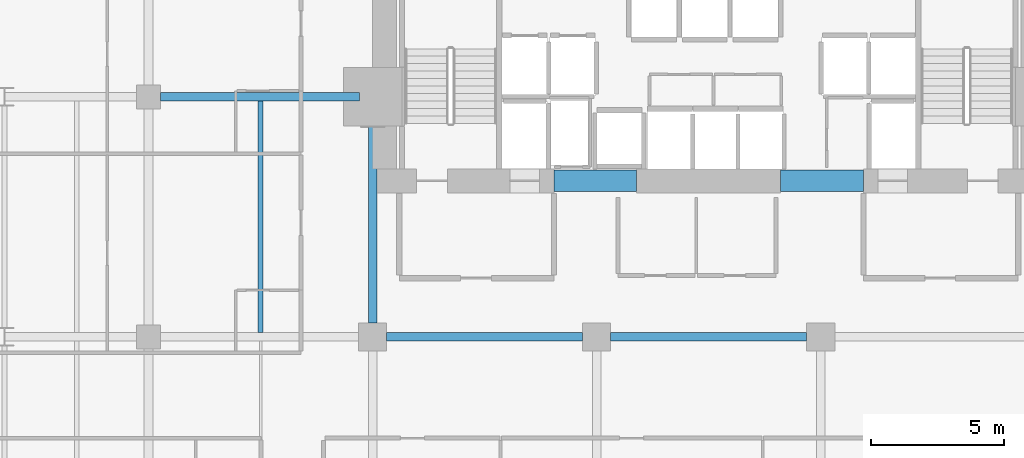
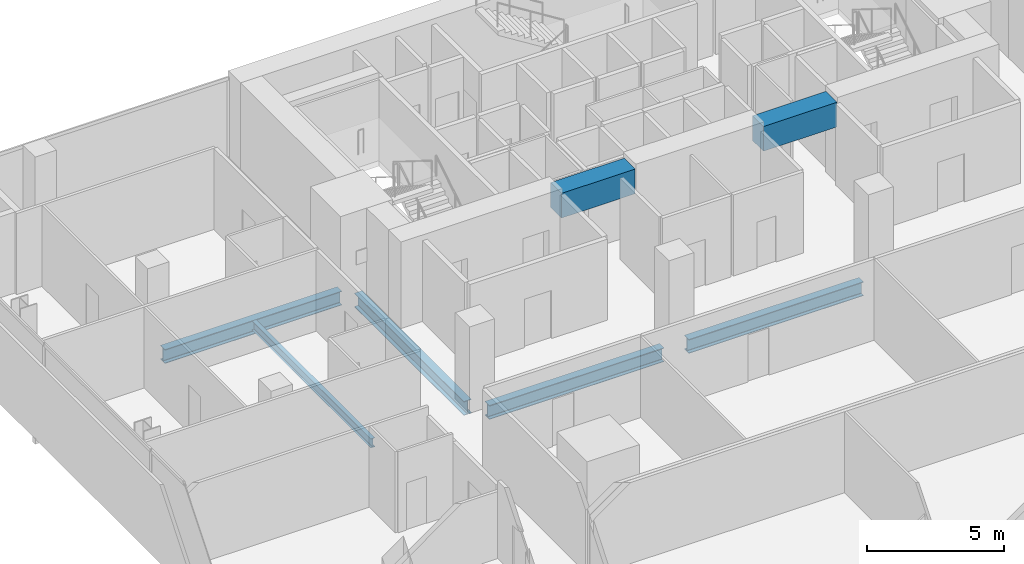
# One storey, part 24 of 40: 7 beams.
"""IFC4 building model written with IfcOpenShell, lengths in metres."""

from ifc_helpers import new_model, si_unit, direction, frame, origin, origin_2d, place, context, subcontext, project, spatial, rectangle, i_section, extrude, material, material_profile, profile_set, type_object, element, save


model = new_model("IFC4")

# Units and contexts
model_context = context("Model", 3, precision=1e-05, world=origin(), true_north=direction((0.0, 1.0)))
body_context = subcontext(model_context, "Body", "Model", "MODEL_VIEW")
ifc_project = project(units=[si_unit("LENGTHUNIT", "METRE"), si_unit("AREAUNIT", "SQUARE_METRE"), si_unit("VOLUMEUNIT", "CUBIC_METRE"), si_unit("PLANEANGLEUNIT", "RADIAN"), si_unit("MASSUNIT", "GRAM", prefix="KILO")], contexts=[model_context])

# Site, building, storey
site_placement = place(None, origin())
site = spatial("IfcSite", under=ifc_project, at=site_placement, CompositionType="ELEMENT")
building_placement = place(site_placement, origin())
building = spatial("IfcBuilding", under=site, at=building_placement, Name="Maruvema Waterfront Hotel and Observation Tower", CompositionType="ELEMENT")
storey_placement = place(building_placement, frame((0.0, 0.0, 50.050048828125)))
storey = spatial("IfcBuildingStorey", under=building, at=storey_placement, Name="L11", CompositionType="ELEMENT", Elevation=50.050048828125)

# Beams
ifc_material_1 = material(Name="Concrete C60/75", Category="concrete")
ifc_material_profile_1 = material_profile(ifc_material_1, rectangle(XDim=0.800048828125, YDim=1.10009765625, at=origin_2d()), Name="CB800x1100")
ifc_profile_set_1 = profile_set([ifc_material_profile_1], Name="Concrete C60/75")
beam_type_1 = type_object("IfcBeamType", Name="Core Coupling Lintel Beam CB800x1100", PredefinedType="LINTEL", material=ifc_profile_set_1)
for number, where, z_axis, x_axis, name in (
    (1, (32.0, 41.85009765625, 3.06005859375), (1.0, 0.0, 0.0), (0.0, 1.0, 0.0), "L11 Core Coupling Lintel Beam West"),
    (2, (40.5, 41.85009765625, 3.06005859375), (1.0, 0.0, 0.0), (0.0, 1.0, 0.0), "L11 Core Coupling Lintel Beam East"),
):
    element("IfcBeam", number, at=place(storey_placement, frame(where, z_axis=z_axis, x_axis=x_axis)), inside=storey, type_object=beam_type_1, Name=name, PredefinedType="LINTEL", context=body_context, shape_type="SweptSolid", body=[
        extrude(rectangle(XDim=0.800048828125, YDim=1.10009765625, at=origin_2d()), origin(), (0.0, 0.0, 1.0), 3.10009765625),
    ])
ifc_material_2 = material(Name="Steel ASTM A572 Grade 50", Category="steel")
ifc_material_profile_2 = material_profile(ifc_material_2, i_section(OverallWidth=0.326904296875, OverallDepth=0.6220703125, WebThickness=0.015380859375, FlangeThickness=0.0244140625, FilletRadius=0.01806640625, at=origin_2d()), Name="W610x195.0")
ifc_profile_set_2 = profile_set([ifc_material_profile_2], Name="Steel ASTM A572 Grade 50")
beam_type_2 = type_object("IfcBeamType", Name="Primary Floor Girder W610x195.0", PredefinedType="BEAM", material=ifc_profile_set_2)
beam_1_placement = place(storey_placement, frame((25.72509765625, 36.0, -0.551025390625), z_axis=(1.0, 0.0, 0.0), x_axis=(0.0, 1.0, 0.0)))
element("IfcBeam", 3, at=beam_1_placement, inside=storey, type_object=beam_type_2, Name="L11 Floor Girder EW-27", PredefinedType="BEAM", context=body_context, shape_type="SweptSolid", body=[
    extrude(i_section(OverallWidth=0.326904296875, OverallDepth=0.6220703125, WebThickness=0.015380859375, FlangeThickness=0.0244140625, FilletRadius=0.01806640625, at=origin_2d()), origin(), (0.0, 0.0, 1.0), 7.349853515625),
])
beam_2_placement = place(storey_placement, frame((34.125, 36.0, -0.551025390625), z_axis=(1.0, 0.0, 0.0), x_axis=(0.0, 1.0, 0.0)))
element("IfcBeam", 4, at=beam_2_placement, inside=storey, type_object=beam_type_2, Name="L11 Floor Girder EW-28", PredefinedType="BEAM", context=body_context, shape_type="SweptSolid", body=[
    extrude(i_section(OverallWidth=0.326904296875, OverallDepth=0.6220703125, WebThickness=0.015380859375, FlangeThickness=0.0244140625, FilletRadius=0.01806640625, at=origin_2d()), origin(), (0.0, 0.0, 1.0), 7.35009765625),
])
beam_3_placement = place(storey_placement, frame((17.25, 45.0, -0.551025390625), z_axis=(1.0, 0.0, 0.0), x_axis=(0.0, 1.0, 0.0)))
element("IfcBeam", 5, at=beam_3_placement, inside=storey, type_object=beam_type_2, Name="L11 Floor Girder EW-33", PredefinedType="BEAM", context=body_context, shape_type="SweptSolid", body=[
    extrude(i_section(OverallWidth=0.326904296875, OverallDepth=0.6220703125, WebThickness=0.015380859375, FlangeThickness=0.0244140625, FilletRadius=0.01806640625, at=origin_2d()), origin(), (0.0, 0.0, 1.0), 7.449951171875),
])
beam_4_placement = place(storey_placement, frame((25.199951171875, 36.52490234375, -0.551025390625), z_axis=(0.0, 1.0, 0.0), x_axis=(-1.0, 0.0, 0.0)))
element("IfcBeam", 6, at=beam_4_placement, inside=storey, type_object=beam_type_2, Name="L11 Floor Girder NS-15", PredefinedType="BEAM", context=body_context, shape_type="SweptSolid", body=[
    extrude(i_section(OverallWidth=0.326904296875, OverallDepth=0.6220703125, WebThickness=0.015380859375, FlangeThickness=0.0244140625, FilletRadius=0.01806640625, at=origin_2d()), origin(), (0.0, 0.0, 1.0), 7.97509765625),
])
ifc_material_3 = material(Name="Steel ASTM A572 Grade 50", Category="steel")
ifc_material_profile_3 = material_profile(ifc_material_3, i_section(OverallWidth=0.177001953125, OverallDepth=0.403076171875, WebThickness=0.007568359375, FlangeThickness=0.010986328125, FilletRadius=0.014892578125, at=origin_2d()), Name="W410x53.0")
ifc_profile_set_3 = profile_set([ifc_material_profile_3], Name="Steel ASTM A572 Grade 50")
beam_type_3 = type_object("IfcBeamType", Name="Secondary Floor Joist W410x53.0", PredefinedType="JOIST", material=ifc_profile_set_3)
beam_5_placement = place(storey_placement, frame((21.0, 36.16357421875, -0.441650390625), z_axis=(0.0, 1.0, 0.0), x_axis=(-1.0, 0.0, 0.0)))
element("IfcBeam", 7, at=beam_5_placement, inside=storey, type_object=beam_type_3, Name="L11 Secondary Floor Joist JS-09", PredefinedType="JOIST", context=body_context, shape_type="SweptSolid", body=[
    extrude(i_section(OverallWidth=0.177001953125, OverallDepth=0.403076171875, WebThickness=0.007568359375, FlangeThickness=0.010986328125, FilletRadius=0.014892578125, at=origin_2d()), origin(), (0.0, 0.0, 1.0), 8.6728515625),
])

save(model, "model.ifc")
